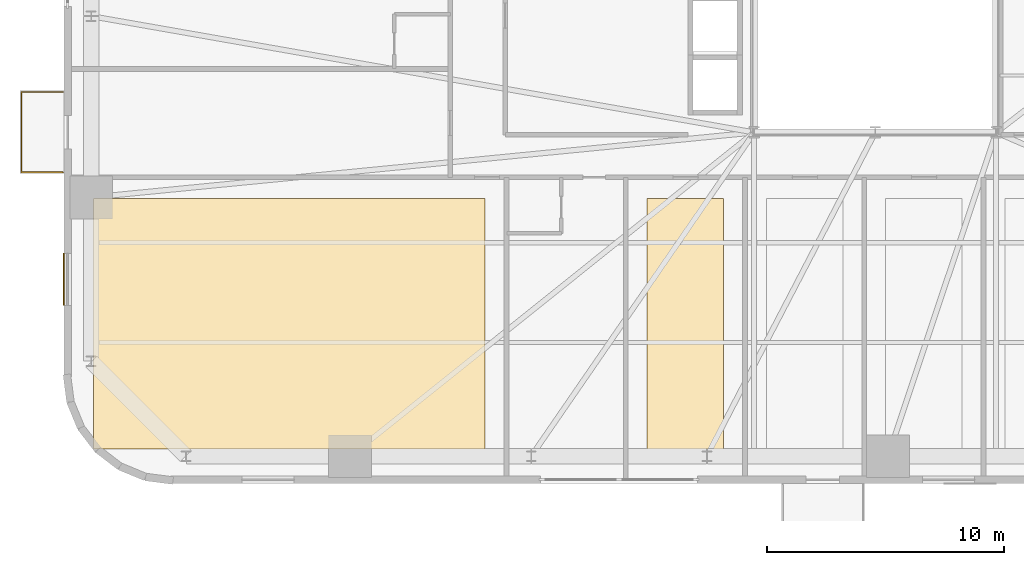
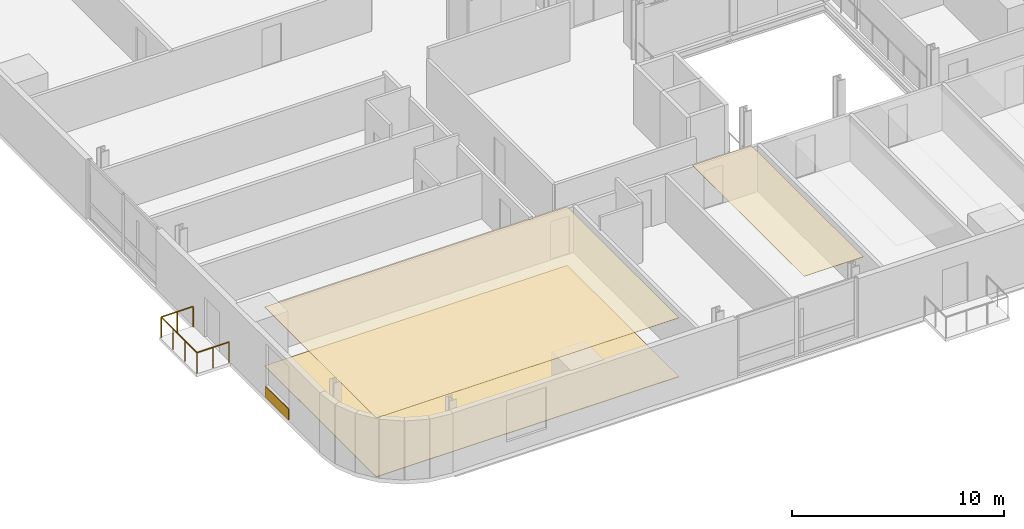
# One storey, part 10 of 13: 4 coverings, 1 railing.
"""IFC4 building model written with IfcOpenShell, lengths in metres."""

import ifcopenshell
import ifcopenshell.guid

model = None  # the IFC model being written
_history = None  # IfcOwnerHistory: only IFC2X3 demands one
_inside = {}  # id of a spatial element -> (the spatial element, [elements in it])
_under = {}  # id of a project, library or spatial element -> (it, [spatial elements below it])
_declared = {}  # id of a project -> (the project, [libraries it declares])
_typed = {}  # id of a type object -> (the type object, [elements of that type])
_made_of = {}  # id of a material, layer set ... -> (it, [elements and type objects made of it])


def new_model(schema):
    """Start an empty IFC model of exactly this schema.

    Asked for "IFC4X3", IfcOpenShell would pick the latest addendum, in which some entities
    have other attributes; the version numbers below select the first issue.
    IFC2X3 requires an IfcOwnerHistory on every rooted entity: one is made here for all.
    """
    global model, _history
    if schema == "IFC4X3":
        model = ifcopenshell.file(schema_version=(4, 3, 0, 0))
    else:
        model = ifcopenshell.file(schema=schema)
    _inside.clear()
    _under.clear()
    _declared.clear()
    _typed.clear()
    _made_of.clear()
    _history = None
    if model.schema == "IFC2X3":
        org = make("IfcOrganization", Name="unknown")
        user = make(
            "IfcPersonAndOrganization",
            ThePerson=make("IfcPerson", FamilyName="unknown"),
            TheOrganization=org,
        )
        app = make(
            "IfcApplication",
            ApplicationDeveloper=org,
            Version="unknown",
            ApplicationFullName="unknown",
            ApplicationIdentifier="unknown",
        )
        _history = make(
            "IfcOwnerHistory",
            OwningUser=user,
            OwningApplication=app,
            ChangeAction="ADDED",
            CreationDate=0,
        )
    return model


def make(cls, **values):
    """One entity of the class cls with the attributes given. An attribute that is None is left unset."""
    return model.create_entity(
        cls, **{name: value for name, value in values.items() if value is not None}
    )


def rooted(cls, **values):
    """An entity with a GlobalId (a new one), such as an element, a storey or a relation."""
    return make(cls, GlobalId=ifcopenshell.guid.new(), OwnerHistory=_history, **values)


def si_unit(unit_type, name, prefix=None):
    """IfcSIUnit, for example si_unit("LENGTHUNIT", "METRE", prefix="MILLI")."""
    return make("IfcSIUnit", UnitType=unit_type, Prefix=prefix, Name=name)


def assignment(units):
    """IfcUnitAssignment: the units of a project."""
    return None if units is None else make("IfcUnitAssignment", Units=units)


def point(xyz):
    """IfcCartesianPoint."""
    return None if xyz is None else make("IfcCartesianPoint", Coordinates=xyz)


def direction(xyz):
    """IfcDirection."""
    return None if xyz is None else make("IfcDirection", DirectionRatios=xyz)


def frame(location, z_axis=None, x_axis=None):
    """IfcAxis2Placement3D, a coordinate frame: its origin and axes. An axis left out is left unset."""
    return make(
        "IfcAxis2Placement3D",
        Location=point(location),
        Axis=direction(z_axis),
        RefDirection=direction(x_axis),
    )


def frame_2d(location, x_axis=None):
    """IfcAxis2Placement2D, a coordinate frame in the plane: its origin and x axis."""
    return make(
        "IfcAxis2Placement2D", Location=point(location), RefDirection=direction(x_axis)
    )


def origin():
    """The frame at (0, 0, 0) with its axes left unset."""
    return frame((0.0, 0.0, 0.0))


def origin_2d():
    """The frame at (0, 0) in the plane with its x axis left unset."""
    return frame_2d((0.0, 0.0))


def place(relative_to, where):
    """IfcLocalPlacement: puts the frame where relative to a parent placement (None: the world)."""
    return make(
        "IfcLocalPlacement", PlacementRelTo=relative_to, RelativePlacement=where
    )


def context(
    kind, dimensions, precision=None, world=None, true_north=None, identifier=None
):
    """IfcGeometricRepresentationContext, for example the 3D "Model" context."""
    return make(
        "IfcGeometricRepresentationContext",
        ContextIdentifier=identifier,
        ContextType=kind,
        CoordinateSpaceDimension=dimensions,
        Precision=precision,
        WorldCoordinateSystem=world,
        TrueNorth=true_north,
    )


def subcontext(parent, identifier, kind, view, scale=None):
    """IfcGeometricRepresentationSubContext, for example "Body" below "Model"."""
    return make(
        "IfcGeometricRepresentationSubContext",
        ContextIdentifier=identifier,
        ContextType=kind,
        ParentContext=parent,
        TargetScale=scale,
        TargetView=view,
    )


def project(units=None, contexts=None):
    """IfcProject with its units and contexts."""
    return rooted(
        "IfcProject",
        Name="project",
        RepresentationContexts=contexts,
        UnitsInContext=assignment(units),
    )


def spatial(cls, under=None, at=None, **own):
    """A site, building, storey or space (cls), placed at a placement, below another one or the project."""
    s = rooted(cls, ObjectPlacement=at, **own)
    if under is not None:
        _under.setdefault(under.id(), (under, []))[1].append(s)
    return s


def polyline(points):
    """IfcPolyline through the points."""
    return make("IfcPolyline", Points=[point(p) for p in points])


def profile(cls, at=None, kind="AREA", **sizes):
    """A parametric profile (cls). Its sizes go by their IFC names, for example OverallWidth=200.0."""
    return make(cls, ProfileType=kind, Position=at, **sizes)


def rectangle(**sizes):
    """IfcRectangleProfileDef."""
    return profile("IfcRectangleProfileDef", **sizes)


def outline(outer, holes=None, kind="AREA"):
    """IfcArbitraryClosedProfileDef: a profile drawn as a closed curve; with holes, ...WithVoids."""
    if holes is None:
        return make("IfcArbitraryClosedProfileDef", ProfileType=kind, OuterCurve=outer)
    return make(
        "IfcArbitraryProfileDefWithVoids",
        ProfileType=kind,
        OuterCurve=outer,
        InnerCurves=holes,
    )


def extrude(swept, where, along, depth):
    """IfcExtrudedAreaSolid: the profile swept, set in the frame where, extruded along a direction by depth."""
    return make(
        "IfcExtrudedAreaSolid",
        SweptArea=swept,
        Position=where,
        ExtrudedDirection=direction(along),
        Depth=depth,
    )


def shape(context_of_items, identifier, shape_type, items):
    """IfcShapeRepresentation: the items that make up one representation, for example the "Body"."""
    return make(
        "IfcShapeRepresentation",
        ContextOfItems=context_of_items,
        RepresentationIdentifier=identifier,
        RepresentationType=shape_type,
        Items=items,
    )


def source(mapping_origin, context_of_items, identifier, shape_type, items):
    """IfcRepresentationMap: a shape defined once, which mapped items show again and again."""
    return make(
        "IfcRepresentationMap",
        MappingOrigin=mapping_origin,
        MappedRepresentation=shape(context_of_items, identifier, shape_type, items),
    )


def transform(
    local_origin,
    x_axis=None,
    y_axis=None,
    z_axis=None,
    scale=None,
    scale2=None,
    scale3=None,
    uniform=True,
):
    """IfcCartesianTransformationOperator3D, or its non-uniform kind. x_axis, y_axis, z_axis: its Axis1, 2, 3."""
    if uniform:
        return make(
            "IfcCartesianTransformationOperator3D",
            Axis1=direction(x_axis),
            Axis2=direction(y_axis),
            LocalOrigin=point(local_origin),
            Scale=scale,
            Axis3=direction(z_axis),
        )
    return make(
        "IfcCartesianTransformationOperator3DnonUniform",
        Axis1=direction(x_axis),
        Axis2=direction(y_axis),
        LocalOrigin=point(local_origin),
        Scale=scale,
        Axis3=direction(z_axis),
        Scale2=scale2,
        Scale3=scale3,
    )


def mapped(mapping_source, mapping_target):
    """IfcMappedItem: shows the shape of a source again, moved by a transform."""
    return make(
        "IfcMappedItem", MappingSource=mapping_source, MappingTarget=mapping_target
    )


def material(Name=None, Category=None):
    """IfcMaterial."""
    return make("IfcMaterial", Name=Name, Category=Category)


def layer(
    of_material, thickness, ventilated=None, Name=None, Category=None, Priority=None
):
    """IfcMaterialLayer: one layer of a wall or slab, of a material (None: an air gap)."""
    return make(
        "IfcMaterialLayer",
        Material=of_material,
        LayerThickness=thickness,
        IsVentilated=ventilated,
        Name=Name,
        Category=Category,
        Priority=Priority,
    )


def layer_set(layers, Name=None):
    """IfcMaterialLayerSet."""
    return make("IfcMaterialLayerSet", MaterialLayers=layers, LayerSetName=Name)


def made_of(thing, what):
    """Note that an element or type object is made of a material, layer set ...; save() writes the relation."""
    if what is not None:
        _made_of.setdefault(what.id(), (what, []))[1].append(thing)
    return thing


def type_object(cls, material=None, **own):
    """A type object (cls), such as IfcWallType, which elements share."""
    return made_of(rooted(cls, **own), material)


def element(
    cls,
    number,
    at=None,
    inside=None,
    cuts=None,
    type_object=None,
    material=None,
    context=None,
    identifier="Body",
    shape_type=None,
    held_by="IfcProductDefinitionShape",
    body=None,
    shapes=None,
    **own,
):
    """One element of the class cls, such as IfcWall. Its Tag is "e" and its number.

    at: its placement. inside: the storey or other place that contains it. cuts: it is an
    opening in that element (IfcRelVoidsElement). A single representation is given by context,
    identifier, shape_type and body (its items); several are given by shapes. held_by: the class
    of the entity that holds the representations. save() writes the other relations.
    """
    e = rooted(cls, Tag="e%d" % number, ObjectPlacement=at, **own)
    if body is not None:
        shapes = [shape(context, identifier, shape_type, body)]
    if shapes is not None:
        e.Representation = make(held_by, Representations=shapes)
    if inside is not None:
        _inside.setdefault(inside.id(), (inside, []))[1].append(e)
    if cuts is not None:
        rooted(
            "IfcRelVoidsElement", RelatingBuildingElement=cuts, RelatedOpeningElement=e
        )
    if type_object is not None:
        _typed.setdefault(type_object.id(), (type_object, []))[1].append(e)
    return made_of(e, material)


def aggregate(whole, parts):
    """IfcRelAggregates: a whole, such as a stair, and the parts it consists of."""
    return rooted("IfcRelAggregates", RelatingObject=whole, RelatedObjects=parts)


def save(model, path):
    """Write the relations noted so far, then the file.

    IfcRelAggregates (storeys below a building ...), IfcRelContainedInSpatialStructure (elements
    in a storey), IfcRelDefinesByType, IfcRelAssociatesMaterial and IfcRelDeclares: one each for
    every whole, place, type object, material and project.
    """
    for whole, parts in _under.values():
        aggregate(whole, parts)
    for where, things in _inside.values():
        rooted(
            "IfcRelContainedInSpatialStructure",
            RelatedElements=things,
            RelatingStructure=where,
        )
    for kind, things in _typed.values():
        rooted("IfcRelDefinesByType", RelatedObjects=things, RelatingType=kind)
    for what, things in _made_of.values():
        rooted("IfcRelAssociatesMaterial", RelatedObjects=things, RelatingMaterial=what)
    for by, libraries in _declared.values():
        rooted("IfcRelDeclares", RelatingContext=by, RelatedDefinitions=libraries)
    model.write(path)


model = new_model("IFC4")

# Units and contexts
model_context = context("Model", 3, precision=1e-05, world=origin(), true_north=direction((0.0, 1.0)))
body_context = subcontext(model_context, "Body", "Model", "MODEL_VIEW")
ifc_project = project(units=[si_unit("LENGTHUNIT", "METRE"), si_unit("AREAUNIT", "SQUARE_METRE"), si_unit("VOLUMEUNIT", "CUBIC_METRE"), si_unit("PLANEANGLEUNIT", "RADIAN"), si_unit("MASSUNIT", "GRAM", prefix="KILO")], contexts=[model_context])

# Site, building, storey
site_placement = place(None, origin())
site = spatial("IfcSite", under=ifc_project, at=site_placement, CompositionType="ELEMENT")
building_placement = place(site_placement, origin())
building = spatial("IfcBuilding", under=site, at=building_placement, Name="Vardaveli Station Tower", CompositionType="ELEMENT")
storey_placement = place(building_placement, frame((0.0, 0.0, 38.550048828125)))
storey = spatial("IfcBuildingStorey", under=building, at=storey_placement, Name="L09", CompositionType="ELEMENT", Elevation=38.550048828125)

# Coverings
ifc_material_1 = material(Name="Perforated acoustic mineral ceiling")
ifc_layer_1 = layer(ifc_material_1, 0.02001953125, Name="Perforated acoustic mineral ceiling")
ifc_layer_set_1 = layer_set([ifc_layer_1], Name="Perforated acoustic mineral ceiling")
covering_type_1 = type_object("IfcCoveringType", Name="COV-CEIL-AC20", PredefinedType="CEILING", material=ifc_layer_set_1)
covering_1_placement = place(storey_placement, frame((0.0, 0.0, 3.39501953125)))
element("IfcCovering", 1, at=covering_1_placement, inside=storey, type_object=covering_type_1, Name="CEIL-L09-1", PredefinedType="CEILING", context=body_context, shape_type="SweptSolid", body=[
    extrude(outline(polyline([(3.35009765625, 3.25), (19.860107421875, 3.25), (19.860107421875, 13.81005859375), (3.35009765625, 13.81005859375), (3.35009765625, 3.25)])), origin(), (0.0, 0.0, 1.0), 0.02001953125),
])
covering_2_placement = place(storey_placement, frame((0.0, 0.0, 3.39501953125)))
element("IfcCovering", 2, at=covering_2_placement, inside=storey, type_object=covering_type_1, Name="CEIL-L09-2", PredefinedType="CEILING", context=body_context, shape_type="SweptSolid", body=[
    extrude(outline(polyline([(26.686767578125, 3.25), (29.913330078125, 3.25), (29.913330078125, 13.81005859375), (26.686767578125, 13.81005859375), (26.686767578125, 3.25)])), origin(), (0.0, 0.0, 1.0), 0.02001953125),
])
ifc_material_2 = material(Name="Honed Caucasian basalt and travertine flooring", Category="masonry")
ifc_layer_2 = layer(ifc_material_2, 0.030029296875, Name="Honed Caucasian basalt and travertine flooring")
ifc_layer_set_2 = layer_set([ifc_layer_2], Name="Honed Caucasian basalt and travertine flooring")
covering_type_2 = type_object("IfcCoveringType", Name="COV-FLOOR-ST30", PredefinedType="FLOORING", material=ifc_layer_set_2)
covering_3_placement = place(storey_placement, origin())
element("IfcCovering", 3, at=covering_3_placement, inside=storey, type_object=covering_type_2, Name="FLR-L09-1", PredefinedType="FLOORING", context=body_context, shape_type="SweptSolid", body=[
    extrude(outline(polyline([(3.35009765625, 3.25), (19.860107421875, 3.25), (19.860107421875, 13.81005859375), (3.35009765625, 13.81005859375), (3.35009765625, 3.25)])), origin(), (0.0, 0.0, 1.0), 0.030029296875),
])
ifc_material_3 = material(Name="Ventilated honed travertine stone cladding", Category="masonry")
ifc_layer_3 = layer(ifc_material_3, 0.044921875, Name="Ventilated honed travertine stone cladding")
ifc_layer_set_3 = layer_set([ifc_layer_3], Name="Ventilated honed travertine stone cladding")
covering_type_3 = type_object("IfcCoveringType", Name="COV-CLAD-TR45", PredefinedType="CLADDING", material=ifc_layer_set_3)
shared_shape_1 = source(origin(), body_context, "Body", "SweptSolid", [
    extrude(rectangle(XDim=2.199951171875, YDim=0.044921875, at=origin_2d()), origin(), (0.0, 0.0, 1.0), 0.6201171875),
])
covering_4_placement = place(storey_placement, frame((2.08544921875, 10.405029296875, 0.06982421875), z_axis=(0.0, 0.0, 1.0), x_axis=(0.0, 1.0, 0.0)))
element("IfcCovering", 4, at=covering_4_placement, inside=storey, type_object=covering_type_3, Name="CLD-TR-L09-W", PredefinedType="CLADDING", context=body_context, shape_type="MappedRepresentation", body=[
    mapped(shared_shape_1, transform((0.0, 0.0, 0.0), scale=1.0)),
])

# Railing
ifc_material_4 = material(Name="Laminated glass and stainless steel balustrade", Category="steel")
railing_type = type_object("IfcRailingType", Name="RL-BAL-1200", PredefinedType="BALUSTRADE", material=ifc_material_4)
shared_shape_2 = source(origin(), body_context, "Body", "SweptSolid", [
    extrude(rectangle(XDim=0.048095703125, YDim=0.048095703125, at=origin_2d()), frame((0.0, 0.0, 1.17578125), z_axis=(-1.0, 0.0, 0.0), x_axis=(0.0, -1.0, 0.0)), (0.0, 0.0, 1.0), 1.75),
    extrude(rectangle(XDim=0.048095703125, YDim=0.048095703125, at=origin_2d()), frame((-1.75, 0.0, 1.17578125), z_axis=(0.0, 1.0, 0.0), x_axis=(-1.0, 0.0, 0.0)), (0.0, 0.0, 1.0), 3.3798828125),
    extrude(rectangle(XDim=0.048095703125, YDim=0.048095703125, at=origin_2d()), frame((-1.75, 3.3798828125, 1.17578125), z_axis=(1.0, 0.0, 0.0), x_axis=(0.0, 1.0, 0.0)), (0.0, 0.0, 1.0), 1.75),
    extrude(rectangle(XDim=0.0419921875, YDim=0.0419921875, at=origin_2d()), origin(), (0.0, 0.0, 1.0), 1.15185546875),
    extrude(rectangle(XDim=0.0419921875, YDim=0.0419921875, at=origin_2d()), frame((-0.875, 0.0, 0.0)), (0.0, 0.0, 1.0), 1.15185546875),
    extrude(rectangle(XDim=0.0419921875, YDim=0.0419921875, at=origin_2d()), frame((-1.75, 0.0, 0.0)), (0.0, 0.0, 1.0), 1.15185546875),
    extrude(rectangle(XDim=0.0419921875, YDim=0.0419921875, at=origin_2d()), frame((-1.75, 1.126708984375, 0.0)), (0.0, 0.0, 1.0), 1.15185546875),
    extrude(rectangle(XDim=0.0419921875, YDim=0.0419921875, at=origin_2d()), frame((-1.75, 2.253173828125, 0.0)), (0.0, 0.0, 1.0), 1.15185546875),
    extrude(rectangle(XDim=0.0419921875, YDim=0.0419921875, at=origin_2d()), frame((-1.75, 3.3798828125, 0.0)), (0.0, 0.0, 1.0), 1.15185546875),
    extrude(rectangle(XDim=0.0419921875, YDim=0.0419921875, at=origin_2d()), frame((-0.875, 3.3798828125, 0.0)), (0.0, 0.0, 1.0), 1.15185546875),
    extrude(rectangle(XDim=0.0419921875, YDim=0.0419921875, at=origin_2d()), frame((0.0, 3.3798828125, 0.0)), (0.0, 0.0, 1.0), 1.15185546875),
])
railing_placement = place(storey_placement, frame((2.06005859375, 14.92041015625, 0.0)))
element("IfcRailing", 5, at=railing_placement, inside=storey, type_object=railing_type, Name="RL-LOG-L09-03", PredefinedType="BALUSTRADE", context=body_context, shape_type="MappedRepresentation", body=[
    mapped(shared_shape_2, transform((0.0, 0.0, 0.0), scale=1.0)),
])

save(model, "model.ifc")
